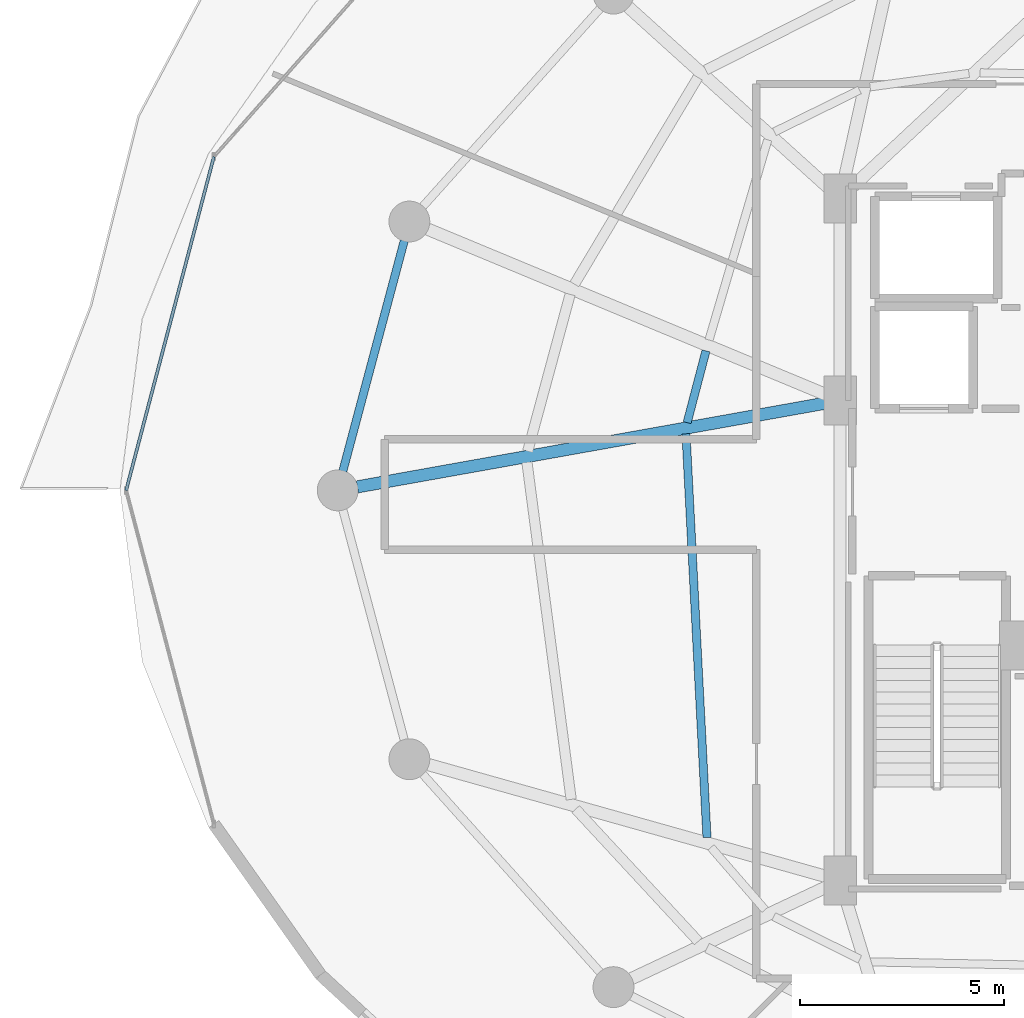
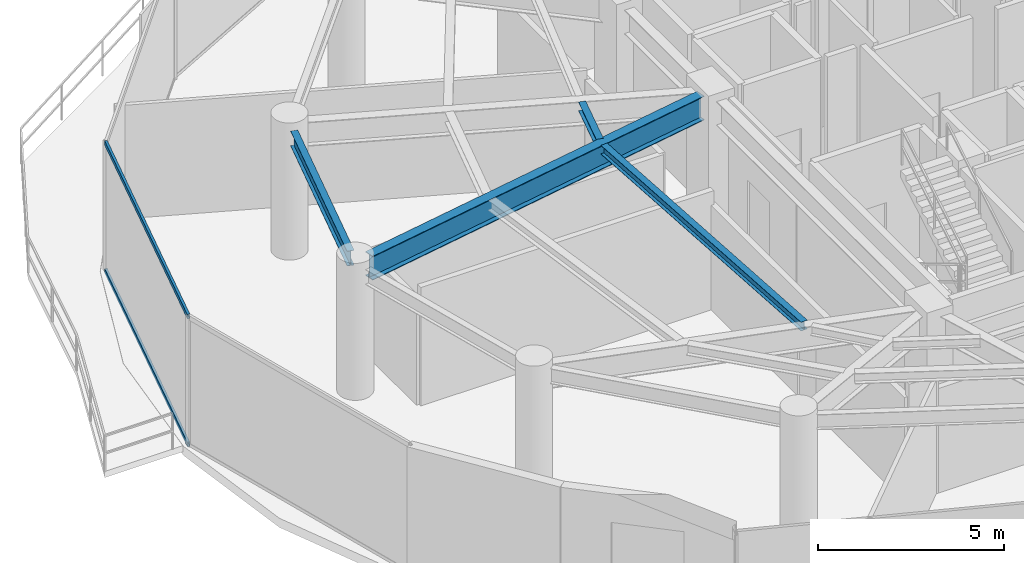
# One storey, part 8 of 31: 4 beams, 2 members, 1 element without a shape of its own.
"""IFC4 building model written with IfcOpenShell, lengths in metres."""

from ifc_helpers import new_model, si_unit, direction, frame, origin, origin_2d, place, context, subcontext, project, spatial, hollow_rectangle, i_section, extrude, material, material_profile, profile_set, type_object, element, aggregate, save


model = new_model("IFC4")

# Units and contexts
model_context = context("Model", 3, precision=1e-05, world=origin(), true_north=direction((0.0, 1.0)))
body_context = subcontext(model_context, "Body", "Model", "MODEL_VIEW")
ifc_project = project(units=[si_unit("LENGTHUNIT", "METRE"), si_unit("AREAUNIT", "SQUARE_METRE"), si_unit("VOLUMEUNIT", "CUBIC_METRE"), si_unit("PLANEANGLEUNIT", "RADIAN"), si_unit("MASSUNIT", "GRAM", prefix="KILO")], contexts=[model_context])

# Site, building, storey
site_placement = place(None, origin())
site = spatial("IfcSite", under=ifc_project, at=site_placement, CompositionType="ELEMENT")
building_placement = place(site_placement, origin())
building = spatial("IfcBuilding", under=site, at=building_placement, Name="Vorneva Point Tower", CompositionType="ELEMENT")
storey_placement = place(building_placement, frame((0.0, 0.0, 174.60009765625)))
storey = spatial("IfcBuildingStorey", under=building, at=storey_placement, Name="L47", CompositionType="ELEMENT", Elevation=174.60009765625)

# Beams
ifc_material_1 = material(Name="Steel S355", Category="steel")
ifc_material_profile_1 = material_profile(ifc_material_1, i_section(OverallWidth=0.300048828125, OverallDepth=0.7880859375, WebThickness=0.014404296875, FlangeThickness=0.02197265625, at=origin_2d()), Name="80Sh1")
ifc_profile_set_1 = profile_set([ifc_material_profile_1], Name="Steel S355")
beam_type_1 = type_object("IfcBeamType", Name="BM-GRD-80Sh1", PredefinedType="USERDEFINED", material=ifc_profile_set_1)
beam_1_placement = place(storey_placement, frame((15.430419921875, 26.0859375, 3.845947265625), z_axis=(0.984378132756, 0.176067293249, 0.0), x_axis=(-0.176067293249, 0.984378132756, 0.0)))
element("IfcBeam", 1, at=beam_1_placement, inside=storey, type_object=beam_type_1, Name="L47 Radial Primary Girder 09", ObjectType="GIRDER", PredefinedType="USERDEFINED", context=body_context, shape_type="SweptSolid", body=[
    extrude(i_section(OverallWidth=0.300048828125, OverallDepth=0.7880859375, WebThickness=0.014404296875, FlangeThickness=0.02197265625, at=origin_2d()), origin(), (0.0, 0.0, 1.0), 11.667236328125),
])
ifc_material_profile_2 = material_profile(ifc_material_1, i_section(OverallWidth=0.199951171875, OverallDepth=0.291015625, WebThickness=0.008056640625, FlangeThickness=0.010986328125, at=origin_2d()), Name="30Sh1")
ifc_profile_set_2 = profile_set([ifc_material_profile_2], Name="Steel S355")
beam_type_2 = type_object("IfcBeamType", Name="BM-SEC-30Sh1", PredefinedType="BEAM", material=ifc_profile_set_2)
beam_2_placement = place(storey_placement, frame((23.966796875, 29.416259765625, 4.094482421875), z_axis=(-0.253984468806, -0.967208296907, 0.0), x_axis=(0.967208296907, -0.253984468806, 0.0)))
element("IfcBeam", 2, at=beam_2_placement, inside=storey, type_object=beam_type_2, Name="L47 Secondary Floor Beam 2.08", PredefinedType="BEAM", context=body_context, shape_type="SweptSolid", body=[
    extrude(i_section(OverallWidth=0.199951171875, OverallDepth=0.291015625, WebThickness=0.008056640625, FlangeThickness=0.010986328125, at=origin_2d()), origin(), (0.0, 0.0, 1.0), 1.818603515625),
])
beam_3_placement = place(storey_placement, frame((23.47705078125, 27.385986328125, 4.094482421875), z_axis=(0.051929543019, -0.998650751045, 0.0), x_axis=(0.998650751045, 0.051929543019, 0.0)))
element("IfcBeam", 3, at=beam_3_placement, inside=storey, type_object=beam_type_2, Name="L47 Secondary Floor Beam 2.09", PredefinedType="BEAM", context=body_context, shape_type="SweptSolid", body=[
    extrude(i_section(OverallWidth=0.199951171875, OverallDepth=0.291015625, WebThickness=0.008056640625, FlangeThickness=0.010986328125, at=origin_2d()), origin(), (0.0, 0.0, 1.0), 9.896484375),
])
ifc_material_profile_3 = material_profile(ifc_material_1, i_section(OverallWidth=0.199951171875, OverallDepth=0.491943359375, WebThickness=0.0087890625, FlangeThickness=0.011962890625, at=origin_2d()), Name="50B1")
ifc_profile_set_3 = profile_set([ifc_material_profile_3], Name="Steel S355")
beam_type_3 = type_object("IfcBeamType", Name="BM-SPN-50B1", PredefinedType="SPANDREL", material=ifc_profile_set_3)
beam_4_placement = place(storey_placement, frame((16.57958984375, 32.113525390625, 3.993896484375), z_axis=(-0.257550804648, -0.966264758245, 0.0), x_axis=(0.966264758245, -0.257550804648, 0.0)))
element("IfcBeam", 4, at=beam_4_placement, inside=storey, type_object=beam_type_3, Name="L47 Perimeter Spandrel Ring Beam 08", PredefinedType="SPANDREL", context=body_context, shape_type="SweptSolid", body=[
    extrude(i_section(OverallWidth=0.199951171875, OverallDepth=0.491943359375, WebThickness=0.0087890625, FlangeThickness=0.011962890625, at=origin_2d()), origin(), (0.0, 0.0, 1.0), 5.842041015625),
])

# Curtain wall, members
ifc_material_2 = material(Name="Pale anodised aluminium", Category="aluminium")
curtain_wall_type = type_object("IfcCurtainWallType", Name="CW-SKY-SYS", PredefinedType="NOTDEFINED", material=ifc_material_2)
curtain_wall_placement = place(storey_placement, origin())
curtain_wall = element("IfcCurtainWall", 5, at=curtain_wall_placement, inside=storey, type_object=curtain_wall_type, Name="L47 Unitised Curtain Wall CW-L47-R03", PredefinedType="NOTDEFINED")
ifc_material_profile_4 = material_profile(ifc_material_2, hollow_rectangle(XDim=0.074951171875, YDim=0.14990234375, WallThickness=0.00390625, at=origin_2d()), Name="AL-TRN 150x75x4")
ifc_profile_set_4 = profile_set([ifc_material_profile_4], Name="Pale anodised aluminium")
member_type = type_object("IfcMemberType", Name="CW-TRN-150", PredefinedType="USERDEFINED", material=ifc_profile_set_4)
member_1_placement = place(storey_placement, frame((11.9189453125, 34.17041015625, 0.02001953125), z_axis=(-0.254362431281, -0.967108966742, 0.0), x_axis=(0.967108966742, -0.254362431281, 0.0)))
member_1 = element("IfcMember", 6, at=member_1_placement, type_object=member_type, Name="CW-L47-R03 Transom 03.1", ObjectType="TRANSOM", PredefinedType="USERDEFINED", context=body_context, shape_type="SweptSolid", body=[
    extrude(hollow_rectangle(XDim=0.074951171875, YDim=0.14990234375, WallThickness=0.00390625, at=origin_2d()), origin(), (0.0, 0.0, 1.0), 8.4482421875),
])
member_2_placement = place(storey_placement, frame((11.9189453125, 34.17041015625, 4.219970703125), z_axis=(-0.254362431281, -0.967108966742, 0.0), x_axis=(0.967108966742, -0.254362431281, 0.0)))
member_2 = element("IfcMember", 7, at=member_2_placement, type_object=member_type, Name="CW-L47-R03 Transom 03.2", ObjectType="TRANSOM", PredefinedType="USERDEFINED", context=body_context, shape_type="SweptSolid", body=[
    extrude(hollow_rectangle(XDim=0.074951171875, YDim=0.14990234375, WallThickness=0.00390625, at=origin_2d()), origin(), (0.0, 0.0, 1.0), 8.4482421875),
])
aggregate(curtain_wall, [member_1, member_2])

save(model, "model.ifc")
